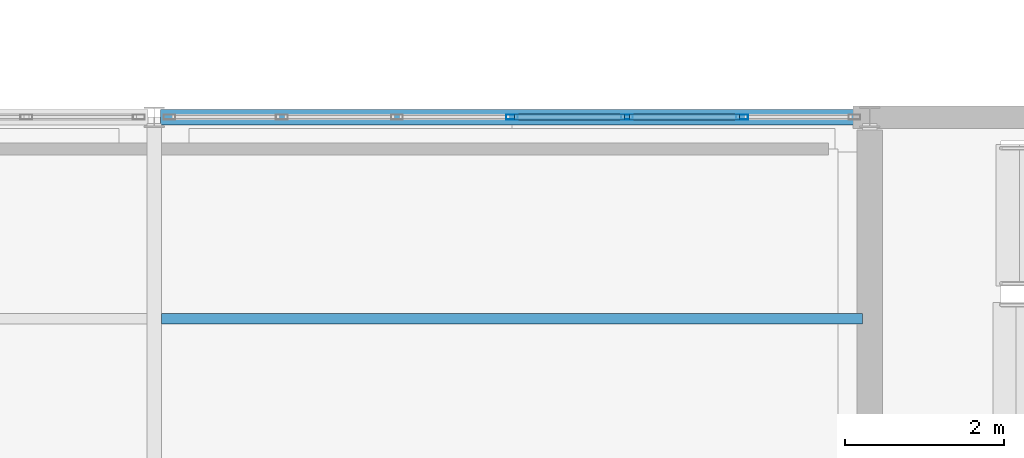
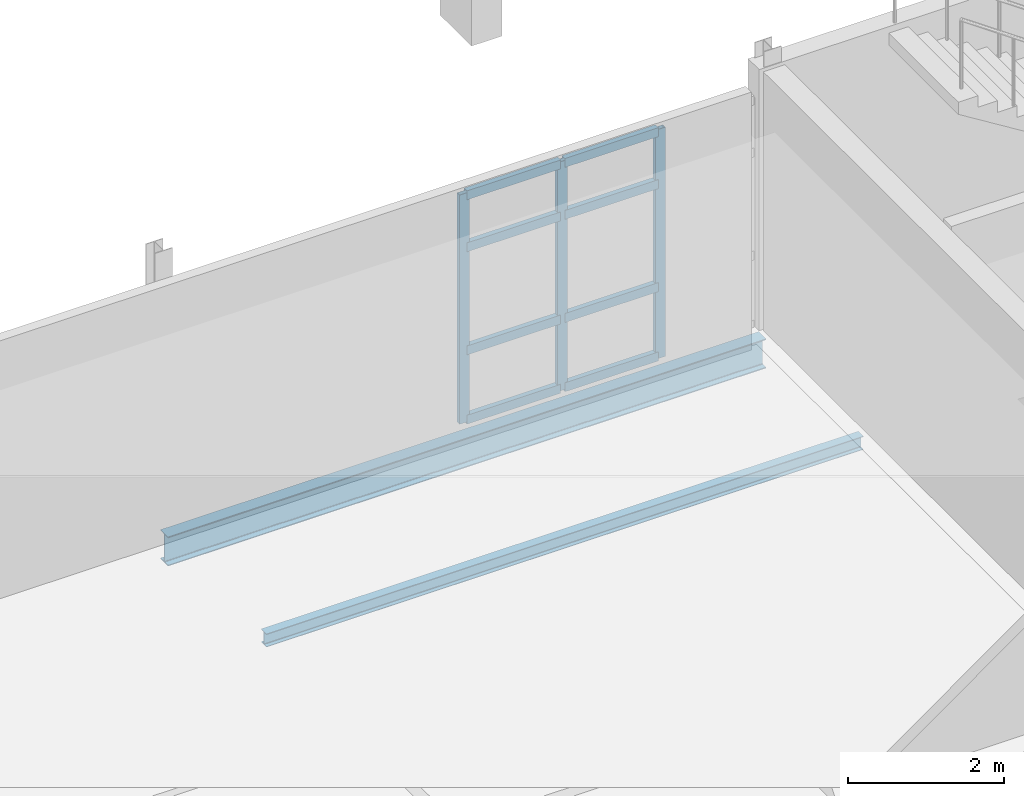
# One storey, part 96 of 166: 11 members, 2 beams, 1 element without a shape of its own.
"""IFC4 building model written with IfcOpenShell, lengths in metres."""

from ifc_helpers import new_model, si_unit, direction, frame, origin, origin_2d, place, context, subcontext, project, spatial, hollow_rectangle, i_section, extrude, material, material_profile, profile_set, type_object, element, aggregate, save


model = new_model("IFC4")

# Units and contexts
model_context = context("Model", 3, precision=1e-05, world=origin(), true_north=direction((0.0, 1.0)))
body_context = subcontext(model_context, "Body", "Model", "MODEL_VIEW")
ifc_project = project(units=[si_unit("LENGTHUNIT", "METRE"), si_unit("AREAUNIT", "SQUARE_METRE"), si_unit("VOLUMEUNIT", "CUBIC_METRE"), si_unit("PLANEANGLEUNIT", "RADIAN"), si_unit("MASSUNIT", "GRAM", prefix="KILO")], contexts=[model_context])

# Site, building, storey
site_placement = place(None, origin())
site = spatial("IfcSite", under=ifc_project, at=site_placement, CompositionType="ELEMENT")
building_placement = place(site_placement, origin())
building = spatial("IfcBuilding", under=site, at=building_placement, Name="Caisbarro Railhouse Central Library", CompositionType="ELEMENT")
storey_placement = place(building_placement, frame((0.0, 0.0, 9.360107421875)))
storey = spatial("IfcBuildingStorey", under=building, at=storey_placement, Name="L02", CompositionType="ELEMENT", Elevation=9.360107421875)

# Beams
ifc_material_1 = material(Name="Steel ASTM A572 Grade 50", Category="steel")
ifc_material_profile_1 = material_profile(ifc_material_1, i_section(OverallWidth=0.133056640625, OverallDepth=0.20703125, WebThickness=0.005859375, FlangeThickness=0.00830078125, FilletRadius=0.010009765625, at=origin_2d()), Name="W200X26.6")
ifc_profile_set_1 = profile_set([ifc_material_profile_1], Name="Steel ASTM A572 Grade 50")
beam_type_1 = type_object("IfcBeamType", Name="BM-J07", PredefinedType="JOIST", material=ifc_profile_set_1)
beam_1_placement = place(storey_placement, frame((72.089111328125, 103.86669921875, -0.3037109375), z_axis=(1.0, 0.0, 0.0), x_axis=(0.0, 1.0, 0.0)))
element("IfcBeam", 1, at=beam_1_placement, inside=storey, type_object=beam_type_1, Name="J07 beam L02 #1707", PredefinedType="JOIST", context=body_context, shape_type="SweptSolid", body=[
    extrude(i_section(OverallWidth=0.133056640625, OverallDepth=0.20703125, WebThickness=0.005859375, FlangeThickness=0.00830078125, FilletRadius=0.010009765625, at=origin_2d()), origin(), (0.0, 0.0, 1.0), 8.82177734375),
])
ifc_material_profile_2 = material_profile(ifc_material_1, i_section(OverallWidth=0.18994140625, OverallDepth=0.45703125, WebThickness=0.009033203125, FlangeThickness=0.014404296875, FilletRadius=0.01806640625, at=origin_2d()), Name="W460X74.0")
ifc_profile_set_2 = profile_set([ifc_material_profile_2], Name="Steel ASTM A572 Grade 50")
beam_type_2 = type_object("IfcBeamType", Name="BM-SP01", PredefinedType="SPANDREL", material=ifc_profile_set_2)
beam_2_placement = place(storey_placement, frame((72.080078125, 106.39990234375, -0.4287109375), z_axis=(1.0, 0.0, 0.0), x_axis=(0.0, 1.0, 0.0)))
element("IfcBeam", 2, at=beam_2_placement, inside=storey, type_object=beam_type_2, Name="SP01 beam L02 #1669", PredefinedType="SPANDREL", context=body_context, shape_type="SweptSolid", body=[
    extrude(i_section(OverallWidth=0.18994140625, OverallDepth=0.45703125, WebThickness=0.009033203125, FlangeThickness=0.014404296875, FilletRadius=0.01806640625, at=origin_2d()), origin(), (0.0, 0.0, 1.0), 8.83984375),
])

# Curtain wall, members
ifc_material_2 = material(Name="Anodised architectural aluminium", Category="aluminium")
curtain_wall_type = type_object("IfcCurtainWallType", Name="CW-CW03", PredefinedType="NOTDEFINED", material=ifc_material_2)
curtain_wall_placement = place(storey_placement, origin())
curtain_wall = element("IfcCurtainWall", 3, at=curtain_wall_placement, inside=storey, type_object=curtain_wall_type, Name="CW03 curtain wall L02 #183", PredefinedType="NOTDEFINED")
ifc_material_profile_3 = material_profile(ifc_material_2, hollow_rectangle(XDim=0.06494140625, YDim=0.14990234375, WallThickness=0.00390625, at=origin_2d()), Name="ALU-MUL-65X150")
ifc_profile_set_3 = profile_set([ifc_material_profile_3], Name="Anodised architectural aluminium")
member_type_1 = type_object("IfcMemberType", Name="CWM-M02", PredefinedType="MULLION", material=ifc_profile_set_3)
member_1_placement = place(storey_placement, frame((76.5, 106.39990234375, 0.0), z_axis=(0.0, 0.0, 1.0), x_axis=(0.0, 1.0, 0.0)))
member_1 = element("IfcMember", 4, at=member_1_placement, type_object=member_type_1, Name="CW03 mullion 4", PredefinedType="MULLION", context=body_context, shape_type="SweptSolid", body=[
    extrude(hollow_rectangle(XDim=0.06494140625, YDim=0.14990234375, WallThickness=0.00390625, at=origin_2d()), origin(), (0.0, 0.0, 1.0), 3.579833984375),
])
member_2_placement = place(storey_placement, frame((77.94677734375, 106.39990234375, 0.0), z_axis=(0.0, 0.0, 1.0), x_axis=(0.0, 1.0, 0.0)))
member_2 = element("IfcMember", 5, at=member_2_placement, type_object=member_type_1, Name="CW03 mullion 5", PredefinedType="MULLION", context=body_context, shape_type="SweptSolid", body=[
    extrude(hollow_rectangle(XDim=0.06494140625, YDim=0.14990234375, WallThickness=0.00390625, at=origin_2d()), origin(), (0.0, 0.0, 1.0), 3.579833984375),
])
member_3_placement = place(storey_placement, frame((79.393310546875, 106.39990234375, 0.0), z_axis=(0.0, 0.0, 1.0), x_axis=(0.0, 1.0, 0.0)))
member_3 = element("IfcMember", 6, at=member_3_placement, type_object=member_type_1, Name="CW03 mullion 6", PredefinedType="MULLION", context=body_context, shape_type="SweptSolid", body=[
    extrude(hollow_rectangle(XDim=0.06494140625, YDim=0.14990234375, WallThickness=0.00390625, at=origin_2d()), origin(), (0.0, 0.0, 1.0), 3.579833984375),
])
ifc_material_profile_4 = material_profile(ifc_material_2, hollow_rectangle(XDim=0.074951171875, YDim=0.139892578125, WallThickness=0.00390625, at=origin_2d()), Name="ALU-TRN-75X140")
ifc_profile_set_4 = profile_set([ifc_material_profile_4], Name="Anodised architectural aluminium")
member_type_2 = type_object("IfcMemberType", Name="CWT-T01", PredefinedType="USERDEFINED", material=ifc_profile_set_4)
member_4_placement = place(storey_placement, frame((76.532470703125, 106.39990234375, 0.037353515625), z_axis=(1.0, 0.0, 0.0), x_axis=(0.0, 1.0, 0.0)))
member_4 = element("IfcMember", 7, at=member_4_placement, type_object=member_type_2, Name="CW03 transom 4.1", ObjectType="TRANSOM", PredefinedType="USERDEFINED", context=body_context, shape_type="SweptSolid", body=[
    extrude(hollow_rectangle(XDim=0.074951171875, YDim=0.139892578125, WallThickness=0.00390625, at=origin_2d()), origin(), (0.0, 0.0, 1.0), 1.381591796875),
])
member_5_placement = place(storey_placement, frame((76.532470703125, 106.39990234375, 1.119873046875), z_axis=(1.0, 0.0, 0.0), x_axis=(0.0, 1.0, 0.0)))
member_5 = element("IfcMember", 8, at=member_5_placement, type_object=member_type_2, Name="CW03 transom 4.2", ObjectType="TRANSOM", PredefinedType="USERDEFINED", context=body_context, shape_type="SweptSolid", body=[
    extrude(hollow_rectangle(XDim=0.074951171875, YDim=0.139892578125, WallThickness=0.00390625, at=origin_2d()), origin(), (0.0, 0.0, 1.0), 1.381591796875),
])
member_6_placement = place(storey_placement, frame((76.532470703125, 106.39990234375, 2.72998046875), z_axis=(1.0, 0.0, 0.0), x_axis=(0.0, 1.0, 0.0)))
member_6 = element("IfcMember", 9, at=member_6_placement, type_object=member_type_2, Name="CW03 transom 4.3", ObjectType="TRANSOM", PredefinedType="USERDEFINED", context=body_context, shape_type="SweptSolid", body=[
    extrude(hollow_rectangle(XDim=0.074951171875, YDim=0.139892578125, WallThickness=0.00390625, at=origin_2d()), origin(), (0.0, 0.0, 1.0), 1.381591796875),
])
member_7_placement = place(storey_placement, frame((76.532470703125, 106.39990234375, 3.54248046875), z_axis=(1.0, 0.0, 0.0), x_axis=(0.0, 1.0, 0.0)))
member_7 = element("IfcMember", 10, at=member_7_placement, type_object=member_type_2, Name="CW03 transom 4.4", ObjectType="TRANSOM", PredefinedType="USERDEFINED", context=body_context, shape_type="SweptSolid", body=[
    extrude(hollow_rectangle(XDim=0.074951171875, YDim=0.139892578125, WallThickness=0.00390625, at=origin_2d()), origin(), (0.0, 0.0, 1.0), 1.381591796875),
])
member_8_placement = place(storey_placement, frame((77.979248046875, 106.39990234375, 0.037353515625), z_axis=(1.0, 0.0, 0.0), x_axis=(0.0, 1.0, 0.0)))
member_8 = element("IfcMember", 11, at=member_8_placement, type_object=member_type_2, Name="CW03 transom 5.1", ObjectType="TRANSOM", PredefinedType="USERDEFINED", context=body_context, shape_type="SweptSolid", body=[
    extrude(hollow_rectangle(XDim=0.074951171875, YDim=0.139892578125, WallThickness=0.00390625, at=origin_2d()), origin(), (0.0, 0.0, 1.0), 1.381591796875),
])
member_9_placement = place(storey_placement, frame((77.979248046875, 106.39990234375, 1.119873046875), z_axis=(1.0, 0.0, 0.0), x_axis=(0.0, 1.0, 0.0)))
member_9 = element("IfcMember", 12, at=member_9_placement, type_object=member_type_2, Name="CW03 transom 5.2", ObjectType="TRANSOM", PredefinedType="USERDEFINED", context=body_context, shape_type="SweptSolid", body=[
    extrude(hollow_rectangle(XDim=0.074951171875, YDim=0.139892578125, WallThickness=0.00390625, at=origin_2d()), origin(), (0.0, 0.0, 1.0), 1.381591796875),
])
member_10_placement = place(storey_placement, frame((77.979248046875, 106.39990234375, 2.72998046875), z_axis=(1.0, 0.0, 0.0), x_axis=(0.0, 1.0, 0.0)))
member_10 = element("IfcMember", 13, at=member_10_placement, type_object=member_type_2, Name="CW03 transom 5.3", ObjectType="TRANSOM", PredefinedType="USERDEFINED", context=body_context, shape_type="SweptSolid", body=[
    extrude(hollow_rectangle(XDim=0.074951171875, YDim=0.139892578125, WallThickness=0.00390625, at=origin_2d()), origin(), (0.0, 0.0, 1.0), 1.381591796875),
])
member_11_placement = place(storey_placement, frame((77.979248046875, 106.39990234375, 3.54248046875), z_axis=(1.0, 0.0, 0.0), x_axis=(0.0, 1.0, 0.0)))
member_11 = element("IfcMember", 14, at=member_11_placement, type_object=member_type_2, Name="CW03 transom 5.4", ObjectType="TRANSOM", PredefinedType="USERDEFINED", context=body_context, shape_type="SweptSolid", body=[
    extrude(hollow_rectangle(XDim=0.074951171875, YDim=0.139892578125, WallThickness=0.00390625, at=origin_2d()), origin(), (0.0, 0.0, 1.0), 1.381591796875),
])
aggregate(curtain_wall, [member_1, member_2, member_3, member_4, member_5, member_6, member_7, member_8, member_9, member_10, member_11])

save(model, "model.ifc")
